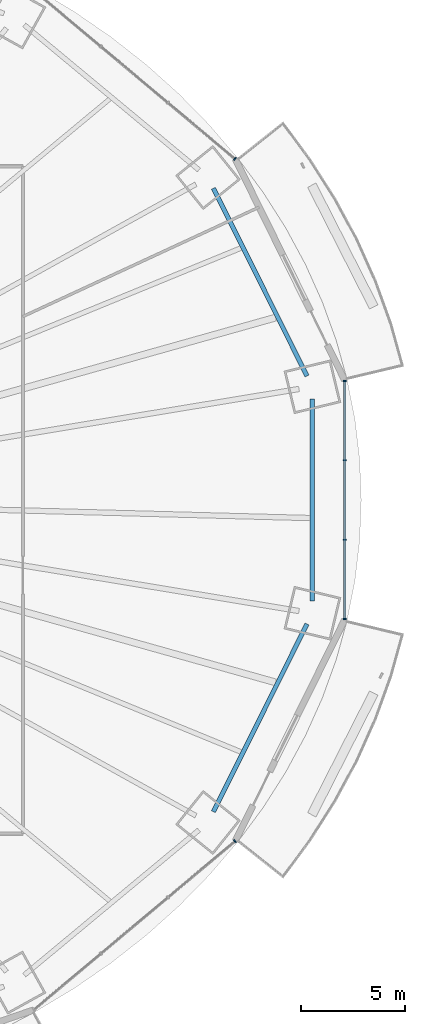
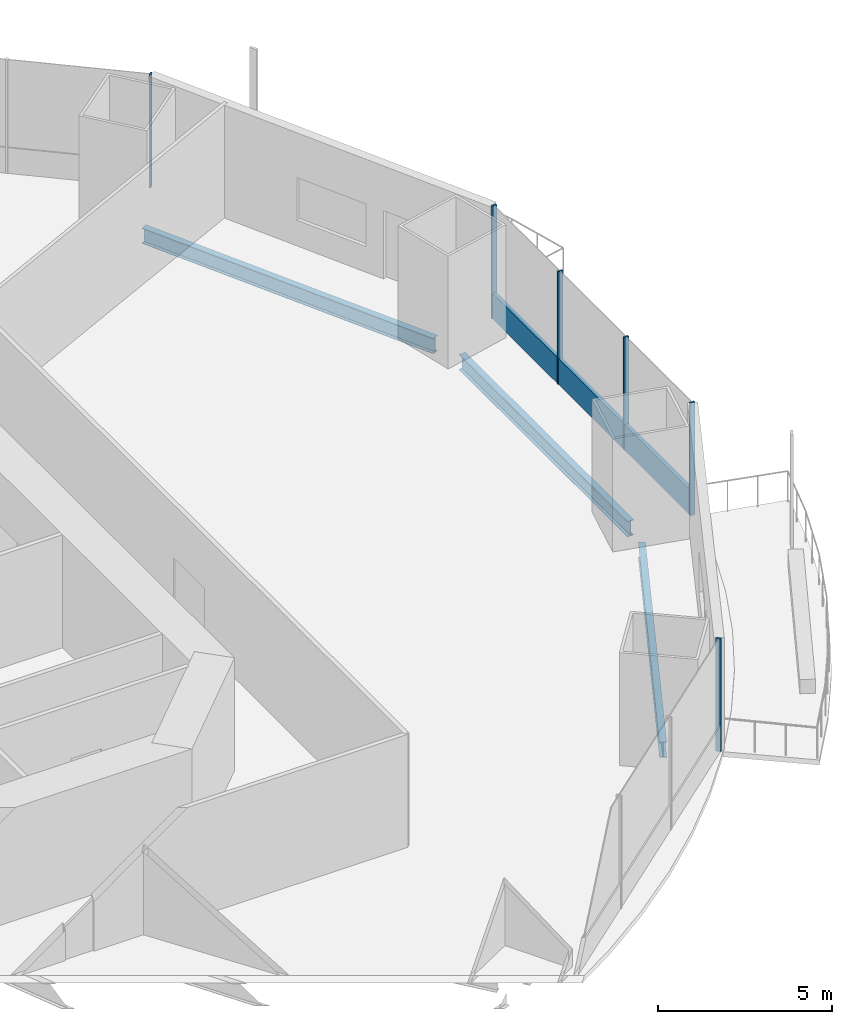
# One storey, part 11 of 22: 7 members, 3 beams, 3 elements without a shape of their own.
"""IFC4 building model written with IfcOpenShell, lengths in metres."""

from ifc_helpers import new_model, si_unit, direction, frame, origin, origin_2d, place, context, subcontext, project, spatial, rectangle, i_section, extrude, material, material_profile, profile_set, type_object, element, aggregate, save


model = new_model("IFC4")

# Units and contexts
model_context = context("Model", 3, precision=1e-05, world=origin(), true_north=direction((0.0, 1.0)))
body_context = subcontext(model_context, "Body", "Model", "MODEL_VIEW")
ifc_project = project(units=[si_unit("LENGTHUNIT", "METRE"), si_unit("AREAUNIT", "SQUARE_METRE"), si_unit("VOLUMEUNIT", "CUBIC_METRE"), si_unit("PLANEANGLEUNIT", "RADIAN"), si_unit("MASSUNIT", "GRAM", prefix="KILO")], contexts=[model_context])

# Site, building, storey
site_placement = place(None, origin())
site = spatial("IfcSite", under=ifc_project, at=site_placement, CompositionType="ELEMENT")
building_placement = place(site_placement, origin())
building = spatial("IfcBuilding", under=site, at=building_placement, Name="Marenthal Gate Tower", CompositionType="ELEMENT")
storey_placement = place(building_placement, frame((0.0, 0.0, 82.800048828125)))
storey = spatial("IfcBuildingStorey", under=building, at=storey_placement, Name="L16", CompositionType="ELEMENT", Elevation=82.800048828125)

# Curtain wall, member
ifc_material_1 = material(Name="Aluminium and glass", Category="aluminium")
curtain_wall_type = type_object("IfcCurtainWallType", Name="Curtain wall typical low", PredefinedType="NOTDEFINED", material=ifc_material_1)
curtain_wall_1_placement = place(storey_placement, origin())
curtain_wall_1 = element("IfcCurtainWall", 1, at=curtain_wall_1_placement, inside=storey, type_object=curtain_wall_type, Name="Curtain wall L16 bay 2", PredefinedType="NOTDEFINED")
ifc_material_2 = material(Name="Aluminium", Category="aluminium")
ifc_material_profile_1 = material_profile(ifc_material_2, rectangle(XDim=0.159912109375, YDim=0.06005859375, at=origin_2d()), Name="60x160 aluminium mullion")
ifc_profile_set_1 = profile_set([ifc_material_profile_1], Name="Aluminium")
member_type_1 = type_object("IfcMemberType", Name="Mullion 60x160 typical low", PredefinedType="MULLION", material=ifc_profile_set_1)
member_1_placement = place(storey_placement, frame((29.170654296875, 16.363037109375, 0.0), z_axis=(0.0, 0.0, 1.0), x_axis=(-0.642228281301, -0.766513427604, 0.0)))
member_1 = element("IfcMember", 2, at=member_1_placement, type_object=member_type_1, Name="Mullion L16 bay 2.1", PredefinedType="MULLION", context=body_context, shape_type="SweptSolid", body=[
    extrude(rectangle(XDim=0.159912109375, YDim=0.06005859375, at=origin_2d()), origin(), (0.0, 0.0, 1.0), 3.969970703125),
])
aggregate(curtain_wall_1, [member_1])

curtain_wall_2_placement = place(storey_placement, origin())
curtain_wall_2 = element("IfcCurtainWall", 3, at=curtain_wall_2_placement, inside=storey, type_object=curtain_wall_type, Name="Curtain wall L16 bay 14", PredefinedType="NOTDEFINED")
member_2_placement = place(storey_placement, frame((29.170654296875, -16.363037109375, 0.0), z_axis=(0.0, 0.0, 1.0), x_axis=(-0.642228281301, 0.766513427604, 0.0)))
member_2 = element("IfcMember", 4, at=member_2_placement, type_object=member_type_1, Name="Mullion L16 bay 14.4", PredefinedType="MULLION", context=body_context, shape_type="SweptSolid", body=[
    extrude(rectangle(XDim=0.159912109375, YDim=0.06005859375, at=origin_2d()), origin(), (0.0, 0.0, 1.0), 3.969970703125),
])
aggregate(curtain_wall_2, [member_2])

# Curtain wall, members
curtain_wall_3_placement = place(storey_placement, origin())
curtain_wall_3 = element("IfcCurtainWall", 5, at=curtain_wall_3_placement, inside=storey, type_object=curtain_wall_type, Name="Curtain wall L16 bay 16", PredefinedType="NOTDEFINED")
member_3_placement = place(storey_placement, frame((34.436279296875, -5.709228515625, 0.0), z_axis=(0.0, 0.0, 1.0), x_axis=(-1.0, 0.0, 0.0)))
member_3 = element("IfcMember", 6, at=member_3_placement, type_object=member_type_1, Name="Mullion L16 bay 16.1", PredefinedType="MULLION", context=body_context, shape_type="SweptSolid", body=[
    extrude(rectangle(XDim=0.159912109375, YDim=0.06005859375, at=origin_2d()), origin(), (0.0, 0.0, 1.0), 3.969970703125),
])
member_4_placement = place(storey_placement, frame((34.436279296875, -1.903076171875, 0.0), z_axis=(0.0, 0.0, 1.0), x_axis=(-1.0, 0.0, 0.0)))
member_4 = element("IfcMember", 7, at=member_4_placement, type_object=member_type_1, Name="Mullion L16 bay 16.2", PredefinedType="MULLION", context=body_context, shape_type="SweptSolid", body=[
    extrude(rectangle(XDim=0.159912109375, YDim=0.06005859375, at=origin_2d()), origin(), (0.0, 0.0, 1.0), 3.969970703125),
])
member_5_placement = place(storey_placement, frame((34.436279296875, 1.903076171875, 0.0), z_axis=(0.0, 0.0, 1.0), x_axis=(-1.0, 0.0, 0.0)))
member_5 = element("IfcMember", 8, at=member_5_placement, type_object=member_type_1, Name="Mullion L16 bay 16.3", PredefinedType="MULLION", context=body_context, shape_type="SweptSolid", body=[
    extrude(rectangle(XDim=0.159912109375, YDim=0.06005859375, at=origin_2d()), origin(), (0.0, 0.0, 1.0), 3.969970703125),
])
member_6_placement = place(storey_placement, frame((34.436279296875, 5.709228515625, 0.0), z_axis=(0.0, 0.0, 1.0), x_axis=(-1.0, 0.0, 0.0)))
member_6 = element("IfcMember", 9, at=member_6_placement, type_object=member_type_1, Name="Mullion L16 bay 16.4", PredefinedType="MULLION", context=body_context, shape_type="SweptSolid", body=[
    extrude(rectangle(XDim=0.159912109375, YDim=0.06005859375, at=origin_2d()), origin(), (0.0, 0.0, 1.0), 3.969970703125),
])
ifc_material_3 = material(Name="Aluminium", Category="aluminium")
ifc_material_profile_2 = material_profile(ifc_material_3, rectangle(XDim=0.1201171875, YDim=0.89990234375, at=origin_2d()), Name="120x900 aluminium transom")
ifc_profile_set_2 = profile_set([ifc_material_profile_2], Name="Aluminium")
member_type_2 = type_object("IfcMemberType", Name="Transom 120x900 typical low", PredefinedType="USERDEFINED", material=ifc_profile_set_2)
member_7_placement = place(storey_placement, frame((34.436279296875, -5.67919921875, 0.449951171875), z_axis=(0.0, 1.0, 0.0), x_axis=(-1.0, 0.0, 0.0)))
member_7 = element("IfcMember", 10, at=member_7_placement, type_object=member_type_2, Name="Transom L16 bay 16", ObjectType="TRANSOM", PredefinedType="USERDEFINED", context=body_context, shape_type="SweptSolid", body=[
    extrude(rectangle(XDim=0.1201171875, YDim=0.89990234375, at=origin_2d()), origin(), (0.0, 0.0, 1.0), 11.3583984375),
])
aggregate(curtain_wall_3, [member_3, member_4, member_5, member_6, member_7])

# Beams
ifc_material_4 = material(Name="Steel S355", Category="steel")
ifc_material_profile_3 = material_profile(ifc_material_4, i_section(OverallWidth=0.2119140625, OverallDepth=0.5439453125, WebThickness=0.01318359375, FlangeThickness=0.021240234375, FilletRadius=0.0126953125, at=origin_2d()), Name="W530X123")
ifc_profile_set_3 = profile_set([ifc_material_profile_3], Name="Steel S355")
beam_type = type_object("IfcBeamType", Name="W530X123 beam", PredefinedType="BEAM", material=ifc_profile_set_3)
for number, where, z_axis, x_axis, name in (
    (11, (32.628662109375, 5.947998046875, -0.4521484375), (-0.446427279823, 0.894819916983, 0.0), (-0.894819916983, -0.446427279823, 0.0), "BM-L16-41"),
    (12, (28.13671875, -14.95166015625, -0.4521484375), (0.446427279823, 0.894819916983, 0.0), (-0.894819916983, 0.446427279823, 0.0), "BM-L16-55"),
):
    element("IfcBeam", number, at=place(storey_placement, frame(where, z_axis=z_axis, x_axis=x_axis)), inside=storey, type_object=beam_type, Name=name, PredefinedType="BEAM", context=body_context, shape_type="SweptSolid", body=[
        extrude(i_section(OverallWidth=0.2119140625, OverallDepth=0.5439453125, WebThickness=0.01318359375, FlangeThickness=0.021240234375, FilletRadius=0.0126953125, at=origin_2d()), origin(), (0.0, 0.0, 1.0), 10.06201171875),
    ])
beam_placement = place(storey_placement, frame((32.88671875, -4.851318359375, -0.4521484375), z_axis=(0.0, 1.0, 0.0), x_axis=(-1.0, 0.0, 0.0)))
element("IfcBeam", 13, at=beam_placement, inside=storey, type_object=beam_type, Name="BM-L16-56", PredefinedType="BEAM", context=body_context, shape_type="SweptSolid", body=[
    extrude(i_section(OverallWidth=0.2119140625, OverallDepth=0.5439453125, WebThickness=0.01318359375, FlangeThickness=0.021240234375, FilletRadius=0.0126953125, at=origin_2d()), origin(), (0.0, 0.0, 1.0), 9.70263671875),
])

save(model, "model.ifc")
